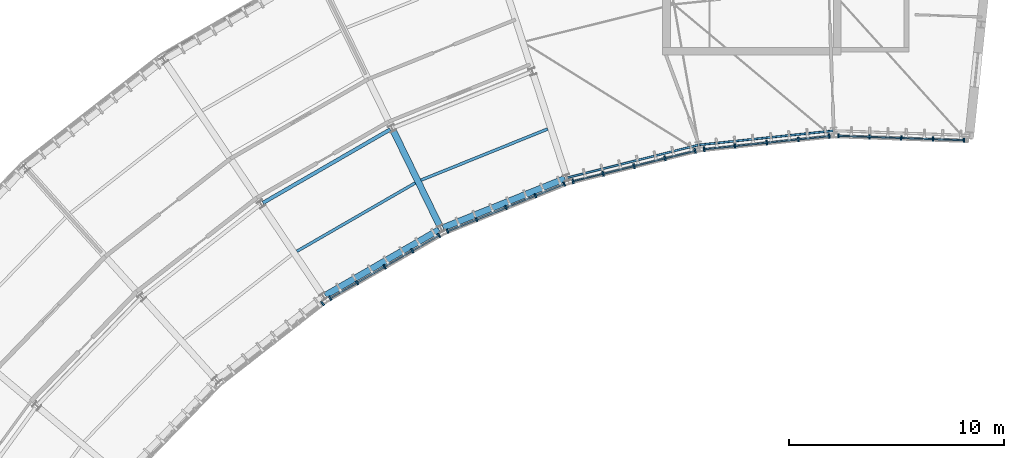
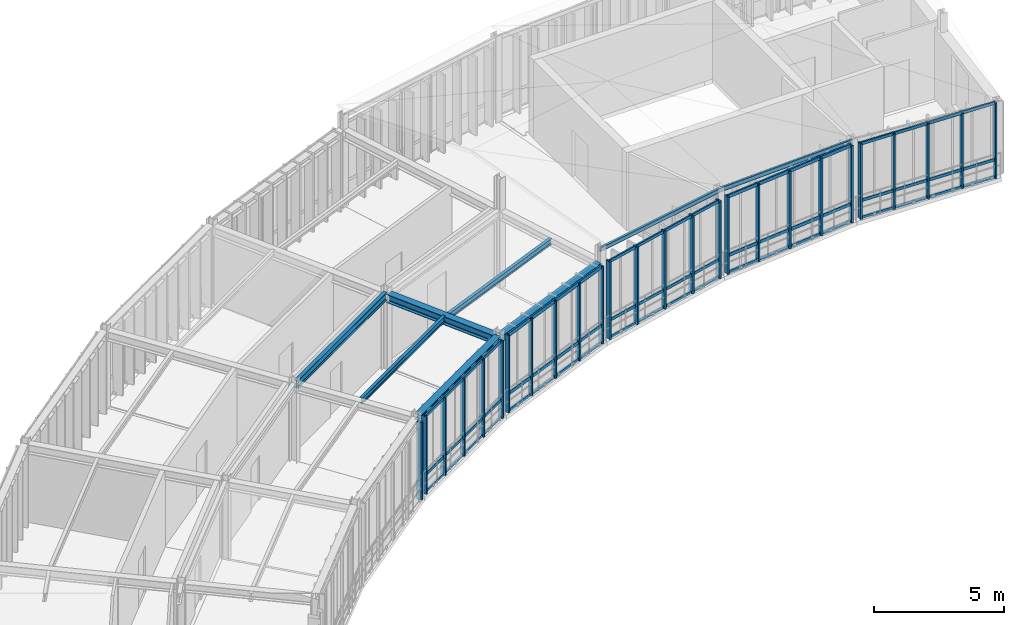
# One storey, part 13 of 42: 43 members, 6 beams, 6 elements without a shape of their own.
"""IFC4 building model written with IfcOpenShell, lengths in metres."""

from ifc_helpers import new_model, si_unit, direction, frame, origin, origin_2d, place, context, subcontext, project, spatial, rectangle, hollow_rectangle, i_section, extrude, material, layer, layer_set, material_profile, profile_set, type_object, element, aggregate, save


model = new_model("IFC4")

# Units and contexts
model_context = context("Model", 3, precision=1e-05, world=origin(), true_north=direction((0.0, 1.0)))
body_context = subcontext(model_context, "Body", "Model", "MODEL_VIEW")
ifc_project = project(units=[si_unit("LENGTHUNIT", "METRE"), si_unit("AREAUNIT", "SQUARE_METRE"), si_unit("VOLUMEUNIT", "CUBIC_METRE"), si_unit("PLANEANGLEUNIT", "RADIAN"), si_unit("MASSUNIT", "GRAM", prefix="KILO"), si_unit("THERMODYNAMICTEMPERATUREUNIT", "KELVIN"), si_unit("POWERUNIT", "WATT")], contexts=[model_context])

# Site, building, storey
site_placement = place(None, origin())
site = spatial("IfcSite", under=ifc_project, at=site_placement, CompositionType="ELEMENT")
building_placement = place(site_placement, origin())
building = spatial("IfcBuilding", under=site, at=building_placement, Name="Solvatero Civic Police Headquarters", CompositionType="ELEMENT")
storey_placement = place(building_placement, frame((0.0, 0.0, 21.60009765625)))
storey = spatial("IfcBuildingStorey", under=building, at=storey_placement, Name="L05", CompositionType="ELEMENT", Elevation=21.60009765625)

# Beams
ifc_material_1 = material(Name="Steel S355", Category="steel")
ifc_material_profile_1 = material_profile(ifc_material_1, i_section(OverallWidth=0.300048828125, OverallDepth=0.2900390625, WebThickness=0.008544921875, FlangeThickness=0.013916015625, FilletRadius=0.027099609375, at=origin_2d()), Name="HEA 300")
ifc_profile_set_1 = profile_set([ifc_material_profile_1], Name="Steel S355")
beam_type_1 = type_object("IfcBeamType", Name="BM-ST-HEA300", PredefinedType="SPANDREL", material=ifc_profile_set_1)
for number, where, z_axis, x_axis, name in (
    (1, (79.893310546875, 69.093017578125, 3.494873046875), (-0.927182224478, -0.374610628001, 0.0), (0.374610628001, -0.927182224478, 0.0), "Perimeter / radial spandrel beam BM-R2-L05-ARC-CIN-B04"),
    (2, (74.033203125, 66.710205078125, 3.554931640625), (-0.86603495258, -0.499983460637, 0.0), (0.499983460637, -0.86603495258, 0.0), "Perimeter / radial spandrel beam BM-R2-L05-ARC-CIN-B05"),
):
    element("IfcBeam", number, at=place(storey_placement, frame(where, z_axis=z_axis, x_axis=x_axis)), inside=storey, type_object=beam_type_1, Name=name, PredefinedType="SPANDREL", context=body_context, shape_type="SweptSolid", body=[
        extrude(i_section(OverallWidth=0.300048828125, OverallDepth=0.2900390625, WebThickness=0.008544921875, FlangeThickness=0.013916015625, FilletRadius=0.027099609375, at=origin_2d()), origin(), (0.0, 0.0, 1.0), 6.126708984375),
    ])
ifc_material_profile_2 = material_profile(ifc_material_1, i_section(OverallWidth=0.300048828125, OverallDepth=0.389892578125, WebThickness=0.010986328125, FlangeThickness=0.01904296875, FilletRadius=0.027099609375, at=origin_2d()), Name="HEA 400")
ifc_profile_set_2 = profile_set([ifc_material_profile_2], Name="Steel S355")
beam_type_2 = type_object("IfcBeamType", Name="BM-ST-HEA400", PredefinedType="BEAM", material=ifc_profile_set_2)
beam_1_placement = place(storey_placement, frame((74.076171875, 66.85009765625, 3.44482421875), z_axis=(-0.438422670017, 0.898768914914, 0.0), x_axis=(-0.898768914914, -0.438422670017, 0.0)))
element("IfcBeam", 3, at=beam_1_placement, inside=storey, type_object=beam_type_2, Name="Primary girder BM-R2-L05-ARC-RAD1-S04", PredefinedType="BEAM", context=body_context, shape_type="SweptSolid", body=[
    extrude(i_section(OverallWidth=0.300048828125, OverallDepth=0.389892578125, WebThickness=0.010986328125, FlangeThickness=0.01904296875, FilletRadius=0.027099609375, at=origin_2d()), origin(), (0.0, 0.0, 1.0), 5.0),
])
ifc_material_profile_3 = material_profile(ifc_material_1, i_section(OverallWidth=0.135009765625, OverallDepth=0.27001953125, WebThickness=0.006591796875, FlangeThickness=0.01025390625, FilletRadius=0.014892578125, at=origin_2d()), Name="IPE 270")
ifc_profile_set_3 = profile_set([ifc_material_profile_3], Name="Steel S355")
beam_type_3 = type_object("IfcBeamType", Name="BM-ST-IPE270", PredefinedType="BEAM", material=ifc_profile_set_3)
beam_2_placement = place(storey_placement, frame((79.08984375, 71.404296875, 3.5048828125), z_axis=(-0.927180902573, -0.374613899774, 0.0), x_axis=(0.374613899774, -0.927180902573, 0.0)))
element("IfcBeam", 4, at=beam_2_placement, inside=storey, type_object=beam_type_3, Name="Composite floor beam BM-R2-L05-ARC-CS1-B04", PredefinedType="BEAM", context=body_context, shape_type="SweptSolid", body=[
    extrude(i_section(OverallWidth=0.135009765625, OverallDepth=0.27001953125, WebThickness=0.006591796875, FlangeThickness=0.01025390625, FilletRadius=0.014892578125, at=origin_2d()), origin(), (0.0, 0.0, 1.0), 6.36865234375),
])
beam_3_placement = place(storey_placement, frame((72.916015625, 68.887451171875, 3.56494140625), z_axis=(-0.866017059223, -0.500014452926, 0.0), x_axis=(0.500014452926, -0.866017059223, 0.0)))
element("IfcBeam", 5, at=beam_3_placement, inside=storey, type_object=beam_type_3, Name="Composite floor beam BM-R2-L05-ARC-CS1-B05", PredefinedType="BEAM", context=body_context, shape_type="SweptSolid", body=[
    extrude(i_section(OverallWidth=0.135009765625, OverallDepth=0.27001953125, WebThickness=0.006591796875, FlangeThickness=0.01025390625, FilletRadius=0.014892578125, at=origin_2d()), origin(), (0.0, 0.0, 1.0), 6.368896484375),
])
ifc_material_profile_4 = material_profile(ifc_material_1, i_section(OverallWidth=0.169921875, OverallDepth=0.360107421875, WebThickness=0.008056640625, FlangeThickness=0.0126953125, FilletRadius=0.01806640625, at=origin_2d()), Name="IPE 360")
ifc_profile_set_4 = profile_set([ifc_material_profile_4], Name="Steel S355")
beam_type_4 = type_object("IfcBeamType", Name="BM-ST-IPE360", PredefinedType="BEAM", material=ifc_profile_set_4)
beam_4_placement = place(storey_placement, frame((71.753662109375, 71.384033203125, 3.52001953125), z_axis=(-0.866020050267, -0.50000927245, 0.0), x_axis=(0.50000927245, -0.866020050267, 0.0)))
element("IfcBeam", 6, at=beam_4_placement, inside=storey, type_object=beam_type_4, Name="Composite floor beam BM-R2-L05-ARC-CMID-B05", PredefinedType="BEAM", context=body_context, shape_type="SweptSolid", body=[
    extrude(i_section(OverallWidth=0.169921875, OverallDepth=0.360107421875, WebThickness=0.008056640625, FlangeThickness=0.0126953125, FilletRadius=0.01806640625, at=origin_2d()), origin(), (0.0, 0.0, 1.0), 6.852294921875),
])

# Curtain wall, members
ifc_material_2 = material(Name="Anodized Bronze Aluminium", Category="aluminium")
ifc_layer = layer(ifc_material_2, 0.179931640625)
ifc_layer_set = layer_set([ifc_layer], Name="Anodized Bronze Aluminium")
curtain_wall_type = type_object("IfcCurtainWallType", Name="CW-ARC-IN", PredefinedType="USERDEFINED", material=ifc_layer_set)
curtain_wall_1_placement = place(storey_placement, origin())
curtain_wall_1 = element("IfcCurtainWall", 7, at=curtain_wall_1_placement, inside=storey, type_object=curtain_wall_type, Name="Curtain Wall CW-R2-L05-ARC-IN-B03", ObjectType="UNITISED", PredefinedType="USERDEFINED")
ifc_material_profile_5 = material_profile(ifc_material_2, rectangle(XDim=0.080078125, YDim=0.239990234375, at=origin_2d()), Name="ALU MULLION 80x240")
ifc_profile_set_5 = profile_set([ifc_material_profile_5], Name="Anodized Bronze Aluminium")
member_type_1 = type_object("IfcMemberType", Name="CWM-140x60", PredefinedType="MULLION", material=ifc_profile_set_5)
member_1_placement = place(storey_placement, frame((85.95751953125, 70.3828125, 0.0), z_axis=(0.0, 0.0, 1.0), x_axis=(-0.970299948462, -0.241904960708, 0.0)))
member_1 = element("IfcMember", 8, at=member_1_placement, type_object=member_type_1, Name="CW-R2-L05-ARC-IN-B03 Mullion 1", PredefinedType="MULLION", context=body_context, shape_type="SweptSolid", body=[
    extrude(rectangle(XDim=0.080078125, YDim=0.239990234375, at=origin_2d()), origin(), (0.0, 0.0, 1.0), 3.639892578125),
])
member_2_placement = place(storey_placement, frame((84.5537109375, 70.03271484375, 0.0), z_axis=(0.0, 0.0, 1.0), x_axis=(-0.970299948462, -0.241904960708, 0.0)))
member_2 = element("IfcMember", 9, at=member_2_placement, type_object=member_type_1, Name="CW-R2-L05-ARC-IN-B03 Mullion 2", PredefinedType="MULLION", context=body_context, shape_type="SweptSolid", body=[
    extrude(rectangle(XDim=0.080078125, YDim=0.239990234375, at=origin_2d()), origin(), (0.0, 0.0, 1.0), 3.639892578125),
])
member_3_placement = place(storey_placement, frame((83.111083984375, 69.673095703125, 0.0), z_axis=(0.0, 0.0, 1.0), x_axis=(-0.970299948462, -0.241904960708, 0.0)))
member_3 = element("IfcMember", 10, at=member_3_placement, type_object=member_type_1, Name="CW-R2-L05-ARC-IN-B03 Mullion 3", PredefinedType="MULLION", context=body_context, shape_type="SweptSolid", body=[
    extrude(rectangle(XDim=0.080078125, YDim=0.239990234375, at=origin_2d()), origin(), (0.0, 0.0, 1.0), 3.639892578125),
])
member_4_placement = place(storey_placement, frame((81.66845703125, 69.3134765625, 0.0), z_axis=(0.0, 0.0, 1.0), x_axis=(-0.970299948462, -0.241904960708, 0.0)))
member_4 = element("IfcMember", 11, at=member_4_placement, type_object=member_type_1, Name="CW-R2-L05-ARC-IN-B03 Mullion 4", PredefinedType="MULLION", context=body_context, shape_type="SweptSolid", body=[
    extrude(rectangle(XDim=0.080078125, YDim=0.239990234375, at=origin_2d()), origin(), (0.0, 0.0, 1.0), 3.639892578125),
])
member_5_placement = place(storey_placement, frame((80.2646484375, 68.96337890625, 0.0), z_axis=(0.0, 0.0, 1.0), x_axis=(-0.970299948462, -0.241904960708, 0.0)))
member_5 = element("IfcMember", 12, at=member_5_placement, type_object=member_type_1, Name="CW-R2-L05-ARC-IN-B03 Mullion 5", PredefinedType="MULLION", context=body_context, shape_type="SweptSolid", body=[
    extrude(rectangle(XDim=0.080078125, YDim=0.239990234375, at=origin_2d()), origin(), (0.0, 0.0, 1.0), 3.639892578125),
])

# Curtain wall, member
curtain_wall_2_placement = place(storey_placement, origin())
curtain_wall_2 = element("IfcCurtainWall", 13, at=curtain_wall_2_placement, inside=storey, type_object=curtain_wall_type, Name="Curtain Wall CW-R2-L05-ARC-IN-B06", ObjectType="UNITISED", PredefinedType="USERDEFINED")
member_6_placement = place(storey_placement, frame((68.6005859375, 63.2744140625, 0.0), z_axis=(0.0, 0.0, 1.0), x_axis=(-0.788010753607, -0.615661475326, 0.0)))
member_6 = element("IfcMember", 14, at=member_6_placement, type_object=member_type_1, Name="CW-R2-L05-ARC-IN-B06 Mullion 1", PredefinedType="MULLION", context=body_context, shape_type="SweptSolid", body=[
    extrude(rectangle(XDim=0.080078125, YDim=0.239990234375, at=origin_2d()), origin(), (0.0, 0.0, 1.0), 3.639892578125),
])
aggregate(curtain_wall_2, [member_6])

# Curtain wall, members
curtain_wall_3_placement = place(storey_placement, origin())
curtain_wall_3 = element("IfcCurtainWall", 15, at=curtain_wall_3_placement, inside=storey, type_object=curtain_wall_type, Name="Curtain Wall CW-R2-L05-ARC-IN-B01", ObjectType="UNITISED", PredefinedType="USERDEFINED")
ifc_material_profile_6 = material_profile(ifc_material_2, rectangle(XDim=0.070068359375, YDim=0.199951171875, at=origin_2d()), Name="ALU MULLION 70x200")
ifc_profile_set_6 = profile_set([ifc_material_profile_6], Name="Anodized Bronze Aluminium")
member_type_2 = type_object("IfcMemberType", Name="CWM-220x80", PredefinedType="MULLION", material=ifc_profile_set_6)
member_7_placement = place(storey_placement, frame((98.492431640625, 70.880615234375, 0.0), z_axis=(0.0, 0.0, 1.0), x_axis=(-0.999390827019, 0.034899496703, 0.0)))
member_7 = element("IfcMember", 16, at=member_7_placement, type_object=member_type_2, Name="CW-R2-L05-ARC-IN-B01 Mullion 1", PredefinedType="MULLION", context=body_context, shape_type="SweptSolid", body=[
    extrude(rectangle(XDim=0.070068359375, YDim=0.199951171875, at=origin_2d()), origin(), (0.0, 0.0, 1.0), 3.551513671875),
])
member_8_placement = place(storey_placement, frame((97.04931640625, 70.930908203125, 0.0), z_axis=(0.0, 0.0, 1.0), x_axis=(-0.999390827019, 0.034899496703, 0.0)))
member_8 = element("IfcMember", 17, at=member_8_placement, type_object=member_type_2, Name="CW-R2-L05-ARC-IN-B01 Mullion 2", PredefinedType="MULLION", context=body_context, shape_type="SweptSolid", body=[
    extrude(rectangle(XDim=0.070068359375, YDim=0.199951171875, at=origin_2d()), origin(), (0.0, 0.0, 1.0), 3.551513671875),
])
member_9_placement = place(storey_placement, frame((95.56591796875, 70.98291015625, 0.0), z_axis=(0.0, 0.0, 1.0), x_axis=(-0.999390827019, 0.034899496703, 0.0)))
member_9 = element("IfcMember", 18, at=member_9_placement, type_object=member_type_2, Name="CW-R2-L05-ARC-IN-B01 Mullion 3", PredefinedType="MULLION", context=body_context, shape_type="SweptSolid", body=[
    extrude(rectangle(XDim=0.070068359375, YDim=0.199951171875, at=origin_2d()), origin(), (0.0, 0.0, 1.0), 3.551513671875),
])
member_10_placement = place(storey_placement, frame((94.08251953125, 71.03466796875, 0.0), z_axis=(0.0, 0.0, 1.0), x_axis=(-0.999390827019, 0.034899496703, 0.0)))
member_10 = element("IfcMember", 19, at=member_10_placement, type_object=member_type_2, Name="CW-R2-L05-ARC-IN-B01 Mullion 4", PredefinedType="MULLION", context=body_context, shape_type="SweptSolid", body=[
    extrude(rectangle(XDim=0.070068359375, YDim=0.199951171875, at=origin_2d()), origin(), (0.0, 0.0, 1.0), 3.551513671875),
])
member_11_placement = place(storey_placement, frame((92.63916015625, 71.0849609375, 0.0), z_axis=(0.0, 0.0, 1.0), x_axis=(-0.999390827019, 0.034899496703, 0.0)))
member_11 = element("IfcMember", 20, at=member_11_placement, type_object=member_type_2, Name="CW-R2-L05-ARC-IN-B01 Mullion 5", PredefinedType="MULLION", context=body_context, shape_type="SweptSolid", body=[
    extrude(rectangle(XDim=0.070068359375, YDim=0.199951171875, at=origin_2d()), origin(), (0.0, 0.0, 1.0), 3.551513671875),
])

curtain_wall_4_placement = place(storey_placement, origin())
curtain_wall_4 = element("IfcCurtainWall", 21, at=curtain_wall_4_placement, inside=storey, type_object=curtain_wall_type, Name="Curtain Wall CW-R2-L05-ARC-IN-B04", ObjectType="UNITISED", PredefinedType="USERDEFINED")
member_12_placement = place(storey_placement, frame((79.85888671875, 68.83154296875, 0.0), z_axis=(0.0, 0.0, 1.0), x_axis=(-0.927183854567, -0.374606593416, 0.0)))
member_12 = element("IfcMember", 22, at=member_12_placement, type_object=member_type_2, Name="CW-R2-L05-ARC-IN-B04 Mullion 1", PredefinedType="MULLION", context=body_context, shape_type="SweptSolid", body=[
    extrude(rectangle(XDim=0.070068359375, YDim=0.199951171875, at=origin_2d()), origin(), (0.0, 0.0, 1.0), 3.639892578125),
])
member_13_placement = place(storey_placement, frame((78.519775390625, 68.29052734375, 0.0), z_axis=(0.0, 0.0, 1.0), x_axis=(-0.927183854567, -0.374606593416, 0.0)))
member_13 = element("IfcMember", 23, at=member_13_placement, type_object=member_type_2, Name="CW-R2-L05-ARC-IN-B04 Mullion 2", PredefinedType="MULLION", context=body_context, shape_type="SweptSolid", body=[
    extrude(rectangle(XDim=0.070068359375, YDim=0.199951171875, at=origin_2d()), origin(), (0.0, 0.0, 1.0), 3.639892578125),
])
member_14_placement = place(storey_placement, frame((77.1435546875, 67.734619140625, 0.0), z_axis=(0.0, 0.0, 1.0), x_axis=(-0.927183854567, -0.374606593416, 0.0)))
member_14 = element("IfcMember", 24, at=member_14_placement, type_object=member_type_2, Name="CW-R2-L05-ARC-IN-B04 Mullion 3", PredefinedType="MULLION", context=body_context, shape_type="SweptSolid", body=[
    extrude(rectangle(XDim=0.070068359375, YDim=0.199951171875, at=origin_2d()), origin(), (0.0, 0.0, 1.0), 3.639892578125),
])
member_15_placement = place(storey_placement, frame((75.767578125, 67.178466796875, 0.0), z_axis=(0.0, 0.0, 1.0), x_axis=(-0.927183854567, -0.374606593416, 0.0)))
member_15 = element("IfcMember", 25, at=member_15_placement, type_object=member_type_2, Name="CW-R2-L05-ARC-IN-B04 Mullion 4", PredefinedType="MULLION", context=body_context, shape_type="SweptSolid", body=[
    extrude(rectangle(XDim=0.070068359375, YDim=0.199951171875, at=origin_2d()), origin(), (0.0, 0.0, 1.0), 3.639892578125),
])
member_16_placement = place(storey_placement, frame((74.428466796875, 66.637451171875, 0.0), z_axis=(0.0, 0.0, 1.0), x_axis=(-0.927183854567, -0.374606593416, 0.0)))
member_16 = element("IfcMember", 26, at=member_16_placement, type_object=member_type_2, Name="CW-R2-L05-ARC-IN-B04 Mullion 5", PredefinedType="MULLION", context=body_context, shape_type="SweptSolid", body=[
    extrude(rectangle(XDim=0.070068359375, YDim=0.199951171875, at=origin_2d()), origin(), (0.0, 0.0, 1.0), 3.639892578125),
])

curtain_wall_5_placement = place(storey_placement, origin())
curtain_wall_5 = element("IfcCurtainWall", 27, at=curtain_wall_5_placement, inside=storey, type_object=curtain_wall_type, Name="Curtain Wall CW-R2-L05-ARC-IN-B02", ObjectType="UNITISED", PredefinedType="USERDEFINED")
ifc_material_profile_7 = material_profile(ifc_material_2, rectangle(XDim=0.074951171875, YDim=0.219970703125, at=origin_2d()), Name="ALU MULLION 75x220")
ifc_profile_set_7 = profile_set([ifc_material_profile_7], Name="Anodized Bronze Aluminium")
member_type_3 = type_object("IfcMemberType", Name="CWM-250x85", PredefinedType="MULLION", material=ifc_profile_set_7)
member_17_placement = place(storey_placement, frame((92.212646484375, 71.070068359375, 0.0), z_axis=(0.0, 0.0, 1.0), x_axis=(-0.994521895368, -0.104528463268, 0.0)))
member_17 = element("IfcMember", 28, at=member_17_placement, type_object=member_type_3, Name="CW-R2-L05-ARC-IN-B02 Mullion 1", PredefinedType="MULLION", context=body_context, shape_type="SweptSolid", body=[
    extrude(rectangle(XDim=0.074951171875, YDim=0.219970703125, at=origin_2d()), origin(), (0.0, 0.0, 1.0), 3.639892578125),
])
member_18_placement = place(storey_placement, frame((90.773681640625, 70.9189453125, 0.0), z_axis=(0.0, 0.0, 1.0), x_axis=(-0.994521895368, -0.104528463268, 0.0)))
member_18 = element("IfcMember", 29, at=member_18_placement, type_object=member_type_3, Name="CW-R2-L05-ARC-IN-B02 Mullion 2", PredefinedType="MULLION", context=body_context, shape_type="SweptSolid", body=[
    extrude(rectangle(XDim=0.074951171875, YDim=0.219970703125, at=origin_2d()), origin(), (0.0, 0.0, 1.0), 3.639892578125),
])
member_19_placement = place(storey_placement, frame((89.295166015625, 70.763427734375, 0.0), z_axis=(0.0, 0.0, 1.0), x_axis=(-0.994521895368, -0.104528463268, 0.0)))
member_19 = element("IfcMember", 30, at=member_19_placement, type_object=member_type_3, Name="CW-R2-L05-ARC-IN-B02 Mullion 3", PredefinedType="MULLION", context=body_context, shape_type="SweptSolid", body=[
    extrude(rectangle(XDim=0.074951171875, YDim=0.219970703125, at=origin_2d()), origin(), (0.0, 0.0, 1.0), 3.639892578125),
])
member_20_placement = place(storey_placement, frame((87.816650390625, 70.608154296875, 0.0), z_axis=(0.0, 0.0, 1.0), x_axis=(-0.994521895368, -0.104528463268, 0.0)))
member_20 = element("IfcMember", 31, at=member_20_placement, type_object=member_type_3, Name="CW-R2-L05-ARC-IN-B02 Mullion 4", PredefinedType="MULLION", context=body_context, shape_type="SweptSolid", body=[
    extrude(rectangle(XDim=0.074951171875, YDim=0.219970703125, at=origin_2d()), origin(), (0.0, 0.0, 1.0), 3.639892578125),
])
member_21_placement = place(storey_placement, frame((86.377685546875, 70.456787109375, 0.0), z_axis=(0.0, 0.0, 1.0), x_axis=(-0.994521895368, -0.104528463268, 0.0)))
member_21 = element("IfcMember", 32, at=member_21_placement, type_object=member_type_3, Name="CW-R2-L05-ARC-IN-B02 Mullion 5", PredefinedType="MULLION", context=body_context, shape_type="SweptSolid", body=[
    extrude(rectangle(XDim=0.074951171875, YDim=0.219970703125, at=origin_2d()), origin(), (0.0, 0.0, 1.0), 3.639892578125),
])

curtain_wall_6_placement = place(storey_placement, origin())
curtain_wall_6 = element("IfcCurtainWall", 33, at=curtain_wall_6_placement, inside=storey, type_object=curtain_wall_type, Name="Curtain Wall CW-R2-L05-ARC-IN-B05", ObjectType="UNITISED", PredefinedType="USERDEFINED")
member_22_placement = place(storey_placement, frame((74.02685546875, 66.441650390625, 0.0), z_axis=(0.0, 0.0, 1.0), x_axis=(-0.866025403784, -0.5, 0.0)))
member_22 = element("IfcMember", 34, at=member_22_placement, type_object=member_type_3, Name="CW-R2-L05-ARC-IN-B05 Mullion 1", PredefinedType="MULLION", context=body_context, shape_type="SweptSolid", body=[
    extrude(rectangle(XDim=0.074951171875, YDim=0.219970703125, at=origin_2d()), origin(), (0.0, 0.0, 1.0), 3.639892578125),
])
member_23_placement = place(storey_placement, frame((72.77587890625, 65.719482421875, 0.0), z_axis=(0.0, 0.0, 1.0), x_axis=(-0.866025403784, -0.5, 0.0)))
member_23 = element("IfcMember", 35, at=member_23_placement, type_object=member_type_3, Name="CW-R2-L05-ARC-IN-B05 Mullion 2", PredefinedType="MULLION", context=body_context, shape_type="SweptSolid", body=[
    extrude(rectangle(XDim=0.074951171875, YDim=0.219970703125, at=origin_2d()), origin(), (0.0, 0.0, 1.0), 3.639892578125),
])
member_24_placement = place(storey_placement, frame((71.490478515625, 64.9775390625, 0.0), z_axis=(0.0, 0.0, 1.0), x_axis=(-0.866025403784, -0.5, 0.0)))
member_24 = element("IfcMember", 36, at=member_24_placement, type_object=member_type_3, Name="CW-R2-L05-ARC-IN-B05 Mullion 3", PredefinedType="MULLION", context=body_context, shape_type="SweptSolid", body=[
    extrude(rectangle(XDim=0.074951171875, YDim=0.219970703125, at=origin_2d()), origin(), (0.0, 0.0, 1.0), 3.639892578125),
])
member_25_placement = place(storey_placement, frame((70.205078125, 64.2353515625, 0.0), z_axis=(0.0, 0.0, 1.0), x_axis=(-0.866025403784, -0.5, 0.0)))
member_25 = element("IfcMember", 37, at=member_25_placement, type_object=member_type_3, Name="CW-R2-L05-ARC-IN-B05 Mullion 4", PredefinedType="MULLION", context=body_context, shape_type="SweptSolid", body=[
    extrude(rectangle(XDim=0.074951171875, YDim=0.219970703125, at=origin_2d()), origin(), (0.0, 0.0, 1.0), 3.639892578125),
])
member_26_placement = place(storey_placement, frame((68.95458984375, 63.51318359375, 0.0), z_axis=(0.0, 0.0, 1.0), x_axis=(-0.866025403784, -0.5, 0.0)))
member_26 = element("IfcMember", 38, at=member_26_placement, type_object=member_type_3, Name="CW-R2-L05-ARC-IN-B05 Mullion 5", PredefinedType="MULLION", context=body_context, shape_type="SweptSolid", body=[
    extrude(rectangle(XDim=0.074951171875, YDim=0.219970703125, at=origin_2d()), origin(), (0.0, 0.0, 1.0), 3.639892578125),
])

# Member
ifc_material_profile_8 = material_profile(ifc_material_2, rectangle(XDim=0.070068359375, YDim=0.159912109375, at=origin_2d()), Name="ALU TRANSOM 70x160")
ifc_profile_set_8 = profile_set([ifc_material_profile_8], Name="Anodized Bronze Aluminium")
member_type_4 = type_object("IfcMemberType", Name="CWT-120x55", PredefinedType="USERDEFINED", material=ifc_profile_set_8)
member_27_placement = place(storey_placement, frame((92.20263671875, 71.069091796875, 0.039794921875), z_axis=(-0.994523512918, -0.104513072165, 0.0), x_axis=(0.104513072165, -0.994523512918, 0.0)))
member_27 = element("IfcMember", 39, at=member_27_placement, type_object=member_type_4, Name="CW-R2-L05-ARC-IN-B02 Transom 1", ObjectType="TRANSOM", PredefinedType="USERDEFINED", context=body_context, shape_type="SweptSolid", body=[
    extrude(rectangle(XDim=0.070068359375, YDim=0.159912109375, at=origin_2d()), origin(), (0.0, 0.0, 1.0), 5.846923828125),
])

member_28_placement = place(storey_placement, frame((92.20263671875, 71.069091796875, 0.849853515625), z_axis=(-0.994523512918, -0.104513072165, 0.0), x_axis=(0.104513072165, -0.994523512918, 0.0)))
member_28 = element("IfcMember", 40, at=member_28_placement, type_object=member_type_4, Name="CW-R2-L05-ARC-IN-B02 Transom 2", ObjectType="TRANSOM", PredefinedType="USERDEFINED", context=body_context, shape_type="SweptSolid", body=[
    extrude(rectangle(XDim=0.070068359375, YDim=0.159912109375, at=origin_2d()), origin(), (0.0, 0.0, 1.0), 5.846923828125),
])

member_29_placement = place(storey_placement, frame((92.20263671875, 71.069091796875, 3.599853515625), z_axis=(-0.994523512918, -0.104513072165, 0.0), x_axis=(0.104513072165, -0.994523512918, 0.0)))
member_29 = element("IfcMember", 41, at=member_29_placement, type_object=member_type_4, Name="CW-R2-L05-ARC-IN-B02 Transom 3", ObjectType="TRANSOM", PredefinedType="USERDEFINED", context=body_context, shape_type="SweptSolid", body=[
    extrude(rectangle(XDim=0.070068359375, YDim=0.159912109375, at=origin_2d()), origin(), (0.0, 0.0, 1.0), 5.846923828125),
])

aggregate(curtain_wall_5, [member_17, member_18, member_19, member_20, member_21, member_27, member_28, member_29])

member_30_placement = place(storey_placement, frame((79.849609375, 68.827880859375, 0.039794921875), z_axis=(-0.92717004325, -0.37464077581, 0.0), x_axis=(0.37464077581, -0.92717004325, 0.0)))
member_30 = element("IfcMember", 42, at=member_30_placement, type_object=member_type_4, Name="CW-R2-L05-ARC-IN-B04 Transom 1", ObjectType="TRANSOM", PredefinedType="USERDEFINED", context=body_context, shape_type="SweptSolid", body=[
    extrude(rectangle(XDim=0.070068359375, YDim=0.159912109375, at=origin_2d()), origin(), (0.0, 0.0, 1.0), 5.8369140625),
])

member_31_placement = place(storey_placement, frame((79.849609375, 68.827880859375, 0.849853515625), z_axis=(-0.92717004325, -0.37464077581, 0.0), x_axis=(0.37464077581, -0.92717004325, 0.0)))
member_31 = element("IfcMember", 43, at=member_31_placement, type_object=member_type_4, Name="CW-R2-L05-ARC-IN-B04 Transom 2", ObjectType="TRANSOM", PredefinedType="USERDEFINED", context=body_context, shape_type="SweptSolid", body=[
    extrude(rectangle(XDim=0.070068359375, YDim=0.159912109375, at=origin_2d()), origin(), (0.0, 0.0, 1.0), 5.8369140625),
])

member_32_placement = place(storey_placement, frame((79.849609375, 68.827880859375, 3.599853515625), z_axis=(-0.92717004325, -0.37464077581, 0.0), x_axis=(0.37464077581, -0.92717004325, 0.0)))
member_32 = element("IfcMember", 44, at=member_32_placement, type_object=member_type_4, Name="CW-R2-L05-ARC-IN-B04 Transom 3", ObjectType="TRANSOM", PredefinedType="USERDEFINED", context=body_context, shape_type="SweptSolid", body=[
    extrude(rectangle(XDim=0.070068359375, YDim=0.159912109375, at=origin_2d()), origin(), (0.0, 0.0, 1.0), 5.8369140625),
])

aggregate(curtain_wall_4, [member_12, member_13, member_14, member_15, member_16, member_30, member_31, member_32])

ifc_material_profile_9 = material_profile(ifc_material_2, rectangle(XDim=0.06494140625, YDim=0.139892578125, at=origin_2d()), Name="ALU TRANSOM 65x140")
ifc_profile_set_9 = profile_set([ifc_material_profile_9], Name="Anodized Bronze Aluminium")
member_type_5 = type_object("IfcMemberType", Name="CWT-180x70", PredefinedType="USERDEFINED", material=ifc_profile_set_9)
member_33_placement = place(storey_placement, frame((98.482421875, 70.880859375, 0.039794921875), z_axis=(-0.99938989582, 0.034926152556, 0.0), x_axis=(-0.034926152556, -0.99938989582, 0.0)))
member_33 = element("IfcMember", 45, at=member_33_placement, type_object=member_type_5, Name="CW-R2-L05-ARC-IN-B01 Transom 1", ObjectType="TRANSOM", PredefinedType="USERDEFINED", context=body_context, shape_type="SweptSolid", body=[
    extrude(rectangle(XDim=0.06494140625, YDim=0.139892578125, at=origin_2d()), origin(), (0.0, 0.0, 1.0), 5.8369140625),
])

member_34_placement = place(storey_placement, frame((98.482421875, 70.880859375, 0.849853515625), z_axis=(-0.99938989582, 0.034926152556, 0.0), x_axis=(-0.034926152556, -0.99938989582, 0.0)))
member_34 = element("IfcMember", 46, at=member_34_placement, type_object=member_type_5, Name="CW-R2-L05-ARC-IN-B01 Transom 2", ObjectType="TRANSOM", PredefinedType="USERDEFINED", context=body_context, shape_type="SweptSolid", body=[
    extrude(rectangle(XDim=0.06494140625, YDim=0.139892578125, at=origin_2d()), origin(), (0.0, 0.0, 1.0), 5.8369140625),
])

member_35_placement = place(storey_placement, frame((98.482421875, 70.880859375, 3.511474609375), z_axis=(-0.99938989582, 0.034926152556, 0.0), x_axis=(-0.034926152556, -0.99938989582, 0.0)))
member_35 = element("IfcMember", 47, at=member_35_placement, type_object=member_type_5, Name="CW-R2-L05-ARC-IN-B01 Transom 3", ObjectType="TRANSOM", PredefinedType="USERDEFINED", context=body_context, shape_type="SweptSolid", body=[
    extrude(rectangle(XDim=0.06494140625, YDim=0.139892578125, at=origin_2d()), origin(), (0.0, 0.0, 1.0), 5.8369140625),
])

aggregate(curtain_wall_3, [member_7, member_8, member_9, member_10, member_11, member_33, member_34, member_35])

member_36_placement = place(storey_placement, frame((85.94775390625, 70.38037109375, 0.039794921875), z_axis=(-0.970294590588, -0.241926450549, 0.0), x_axis=(0.241926450549, -0.970294590588, 0.0)))
member_36 = element("IfcMember", 48, at=member_36_placement, type_object=member_type_5, Name="CW-R2-L05-ARC-IN-B03 Transom 1", ObjectType="TRANSOM", PredefinedType="USERDEFINED", context=body_context, shape_type="SweptSolid", body=[
    extrude(rectangle(XDim=0.06494140625, YDim=0.139892578125, at=origin_2d()), origin(), (0.0, 0.0, 1.0), 5.846923828125),
])

member_37_placement = place(storey_placement, frame((85.94775390625, 70.38037109375, 0.849853515625), z_axis=(-0.970294590588, -0.241926450549, 0.0), x_axis=(0.241926450549, -0.970294590588, 0.0)))
member_37 = element("IfcMember", 49, at=member_37_placement, type_object=member_type_5, Name="CW-R2-L05-ARC-IN-B03 Transom 2", ObjectType="TRANSOM", PredefinedType="USERDEFINED", context=body_context, shape_type="SweptSolid", body=[
    extrude(rectangle(XDim=0.06494140625, YDim=0.139892578125, at=origin_2d()), origin(), (0.0, 0.0, 1.0), 5.846923828125),
])

member_38_placement = place(storey_placement, frame((85.94775390625, 70.38037109375, 3.599853515625), z_axis=(-0.970294590588, -0.241926450549, 0.0), x_axis=(0.241926450549, -0.970294590588, 0.0)))
member_38 = element("IfcMember", 50, at=member_38_placement, type_object=member_type_5, Name="CW-R2-L05-ARC-IN-B03 Transom 3", ObjectType="TRANSOM", PredefinedType="USERDEFINED", context=body_context, shape_type="SweptSolid", body=[
    extrude(rectangle(XDim=0.06494140625, YDim=0.139892578125, at=origin_2d()), origin(), (0.0, 0.0, 1.0), 5.846923828125),
])

aggregate(curtain_wall_1, [member_1, member_2, member_3, member_4, member_5, member_36, member_37, member_38])

member_39_placement = place(storey_placement, frame((74.01806640625, 66.436767578125, 0.039794921875), z_axis=(-0.866026079773, -0.499998829152, 0.0), x_axis=(0.499998829152, -0.866026079773, 0.0)))
member_39 = element("IfcMember", 51, at=member_39_placement, type_object=member_type_5, Name="CW-R2-L05-ARC-IN-B05 Transom 1", ObjectType="TRANSOM", PredefinedType="USERDEFINED", context=body_context, shape_type="SweptSolid", body=[
    extrude(rectangle(XDim=0.06494140625, YDim=0.139892578125, at=origin_2d()), origin(), (0.0, 0.0, 1.0), 5.8369140625),
])

member_40_placement = place(storey_placement, frame((74.01806640625, 66.436767578125, 0.849853515625), z_axis=(-0.866026079773, -0.499998829152, 0.0), x_axis=(0.499998829152, -0.866026079773, 0.0)))
member_40 = element("IfcMember", 52, at=member_40_placement, type_object=member_type_5, Name="CW-R2-L05-ARC-IN-B05 Transom 2", ObjectType="TRANSOM", PredefinedType="USERDEFINED", context=body_context, shape_type="SweptSolid", body=[
    extrude(rectangle(XDim=0.06494140625, YDim=0.139892578125, at=origin_2d()), origin(), (0.0, 0.0, 1.0), 5.8369140625),
])

member_41_placement = place(storey_placement, frame((74.01806640625, 66.436767578125, 3.599853515625), z_axis=(-0.866026079773, -0.499998829152, 0.0), x_axis=(0.499998829152, -0.866026079773, 0.0)))
member_41 = element("IfcMember", 53, at=member_41_placement, type_object=member_type_5, Name="CW-R2-L05-ARC-IN-B05 Transom 3", ObjectType="TRANSOM", PredefinedType="USERDEFINED", context=body_context, shape_type="SweptSolid", body=[
    extrude(rectangle(XDim=0.06494140625, YDim=0.139892578125, at=origin_2d()), origin(), (0.0, 0.0, 1.0), 5.8369140625),
])

aggregate(curtain_wall_6, [member_22, member_23, member_24, member_25, member_26, member_39, member_40, member_41])

# Members
ifc_material_profile_10 = material_profile(ifc_material_1, hollow_rectangle(XDim=0.10009765625, YDim=0.199951171875, WallThickness=0.008056640625, InnerFilletRadius=0.008056640625, OuterFilletRadius=0.01611328125, at=origin_2d()), Name="RHS 200x100x8.0")
ifc_profile_set_10 = profile_set([ifc_material_profile_10], Name="Steel S355")
member_type_6 = type_object("IfcMemberType", Name="MB-BR-RHS200", PredefinedType="BRACE", material=ifc_profile_set_10)
for number, where, z_axis, x_axis, name in (
    (54, (92.417236328125, 71.322509765625, 3.56982421875), (-0.99340081207, -0.104454902445, 0.047370876422), (0.104572298456, -0.994517287128, 0.0), "Arc Roof Purlin B2 EIN"),
    (55, (86.125, 70.660888671875, 3.869873046875), (-0.969209600766, -0.241637501977, 0.047371588759), (0.241909084572, -0.970298920334, 0.0), "Arc Roof Purlin B3 EIN"),
):
    element("IfcMember", number, at=place(storey_placement, frame(where, z_axis=z_axis, x_axis=x_axis)), inside=storey, type_object=member_type_6, Name=name, PredefinedType="BRACE", context=body_context, shape_type="SweptSolid", body=[
        extrude(hollow_rectangle(XDim=0.10009765625, YDim=0.199951171875, WallThickness=0.008056640625, InnerFilletRadius=0.008056640625, OuterFilletRadius=0.01611328125, at=origin_2d()), origin(), (0.0, 0.0, 1.0), 6.333984375),
    ])

save(model, "model.ifc")
